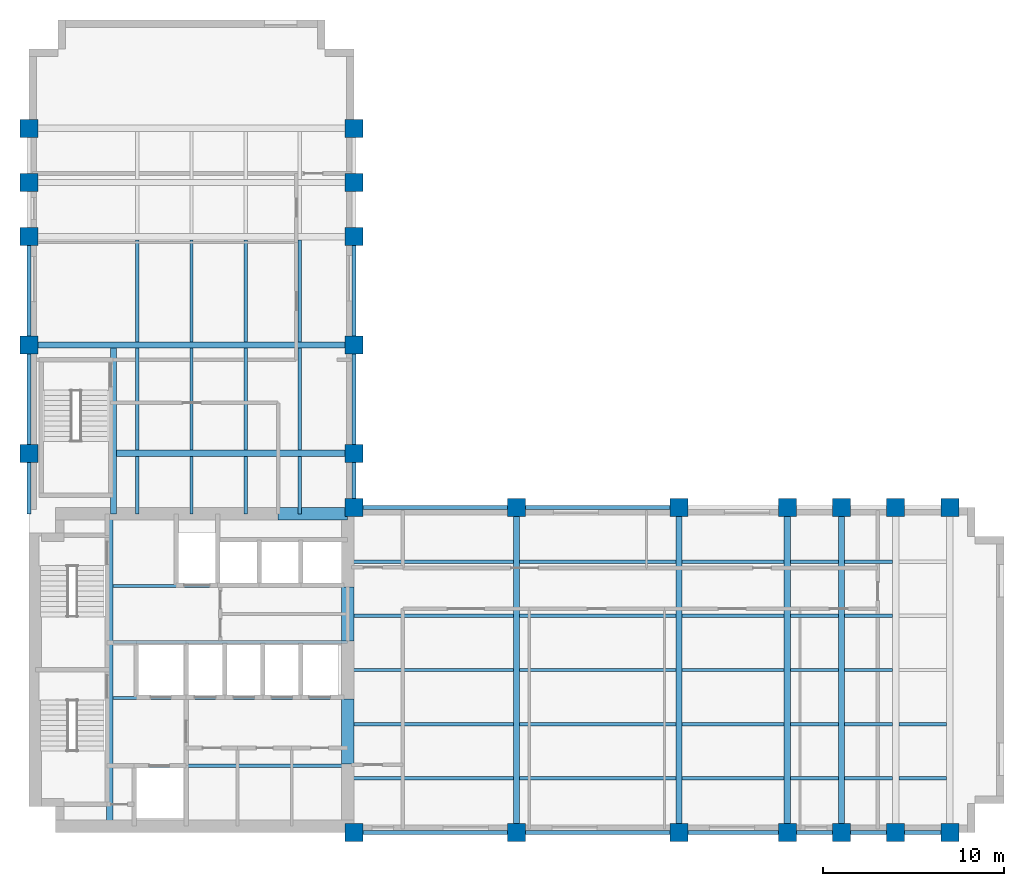
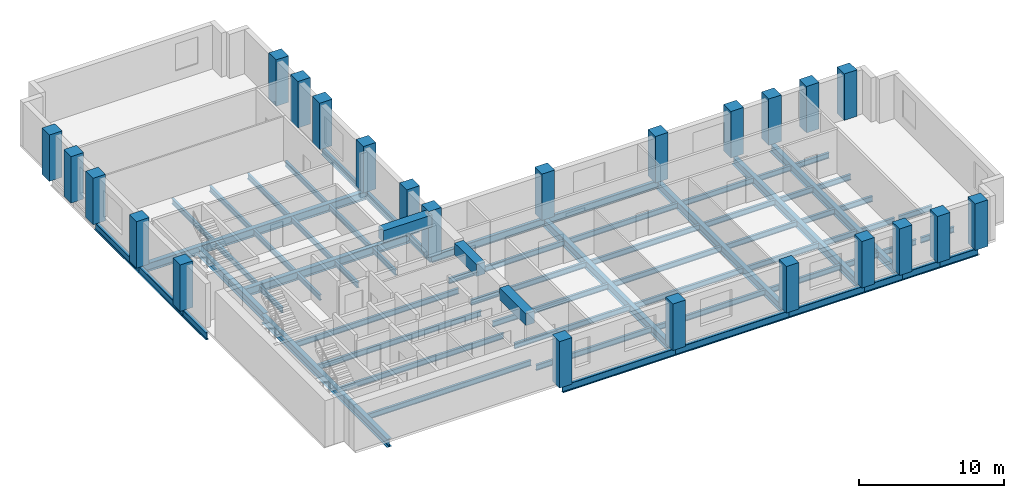
# One storey, part 1 of 7: 68 beams, 24 columns.
"""IFC4 building model written with IfcOpenShell, lengths in metres."""

from ifc_helpers import new_model, si_unit, direction, frame, origin, origin_2d, place, context, subcontext, project, spatial, rectangle, i_section, extrude, material, material_profile, profile_set, type_object, element, save


model = new_model("IFC4")

# Units and contexts
model_context = context("Model", 3, precision=1e-05, world=origin(), true_north=direction((0.0, 1.0)))
body_context = subcontext(model_context, "Body", "Model", "MODEL_VIEW")
ifc_project = project(units=[si_unit("LENGTHUNIT", "METRE"), si_unit("AREAUNIT", "SQUARE_METRE"), si_unit("VOLUMEUNIT", "CUBIC_METRE"), si_unit("PLANEANGLEUNIT", "RADIAN"), si_unit("MASSUNIT", "GRAM", prefix="KILO")], contexts=[model_context])

# Site, building, storey
site_placement = place(None, origin())
site = spatial("IfcSite", under=ifc_project, at=site_placement, CompositionType="ELEMENT")
building_placement = place(site_placement, origin())
building = spatial("IfcBuilding", under=site, at=building_placement, Name="Mawjdan Bourse Tower", CompositionType="ELEMENT")
storey_placement = place(building_placement, frame((0.0, 0.0, 140.10009765625)))
storey = spatial("IfcBuildingStorey", under=building, at=storey_placement, Name="L33", CompositionType="ELEMENT", Elevation=140.10009765625)

# Columns
ifc_material_1 = material(Name="Concrete C70/85", Category="concrete")
ifc_material_profile_1 = material_profile(ifc_material_1, rectangle(XDim=1.0, YDim=1.0, at=origin_2d()), Name="RC1000X1000")
ifc_profile_set_1 = profile_set([ifc_material_profile_1], Name="Concrete C70/85")
column_type = type_object("IfcColumnType", Name="COL-RC1000X1000", PredefinedType="COLUMN", material=ifc_profile_set_1)
for number, where, z_axis, x_axis, name in (
    (1, (24.0, 3.0, 0.0), (0.0, 0.0, 1.0), (1.0, 0.0, 0.0), "L33 Structural Column C-X240-Y30"),
    (2, (24.0, 21.0, 0.0), (0.0, 0.0, 1.0), (1.0, 0.0, 0.0), "L33 Structural Column C-X240-Y210"),
    (3, (33.0, 3.0, 0.0), (0.0, 0.0, 1.0), (1.0, 0.0, 0.0), "L33 Structural Column C-X330-Y30"),
    (4, (33.0, 21.0, 0.0), (0.0, 0.0, 1.0), (1.0, 0.0, 0.0), "L33 Structural Column C-X330-Y210"),
    (5, (42.0, 3.0, 0.0), (0.0, 0.0, 1.0), (1.0, 0.0, 0.0), "L33 Structural Column C-X420-Y30"),
    (6, (42.0, 21.0, 0.0), (0.0, 0.0, 1.0), (1.0, 0.0, 0.0), "L33 Structural Column C-X420-Y210"),
    (7, (48.0, 3.0, 0.0), (0.0, 0.0, 1.0), (1.0, 0.0, 0.0), "L33 Structural Column C-X480-Y30"),
    (8, (48.0, 21.0, 0.0), (0.0, 0.0, 1.0), (1.0, 0.0, 0.0), "L33 Structural Column C-X480-Y210"),
    (9, (51.0, 3.0, 0.0), (0.0, 0.0, 1.0), (1.0, 0.0, 0.0), "L33 Structural Column C-X510-Y30"),
    (10, (51.0, 21.0, 0.0), (0.0, 0.0, 1.0), (1.0, 0.0, 0.0), "L33 Structural Column C-X510-Y210"),
    (11, (54.0, 3.0, 0.0), (0.0, 0.0, 1.0), (1.0, 0.0, 0.0), "L33 Structural Column C-X540-Y30"),
    (12, (54.0, 21.0, 0.0), (0.0, 0.0, 1.0), (1.0, 0.0, 0.0), "L33 Structural Column C-X540-Y210"),
    (13, (57.0, 3.0, 0.0), (0.0, 0.0, 1.0), (1.0, 0.0, 0.0), "L33 Structural Column C-X570-Y30"),
    (14, (57.0, 21.0, 0.0), (0.0, 0.0, 1.0), (1.0, 0.0, 0.0), "L33 Structural Column C-X570-Y210"),
    (15, (6.0, 24.0, 0.0), (0.0, 0.0, 1.0), (1.0, 0.0, 0.0), "L33 Structural Column C-X60-Y240"),
    (16, (24.0, 24.0, 0.0), (0.0, 0.0, 1.0), (1.0, 0.0, 0.0), "L33 Structural Column C-X240-Y240"),
    (17, (6.0, 30.0, 0.0), (0.0, 0.0, 1.0), (1.0, 0.0, 0.0), "L33 Structural Column C-X60-Y300"),
    (18, (24.0, 30.0, 0.0), (0.0, 0.0, 1.0), (1.0, 0.0, 0.0), "L33 Structural Column C-X240-Y300"),
    (19, (6.0, 36.0, 0.0), (0.0, 0.0, 1.0), (1.0, 0.0, 0.0), "L33 Structural Column C-X60-Y360"),
    (20, (24.0, 36.0, 0.0), (0.0, 0.0, 1.0), (1.0, 0.0, 0.0), "L33 Structural Column C-X240-Y360"),
    (21, (6.0, 39.0, 0.0), (0.0, 0.0, 1.0), (1.0, 0.0, 0.0), "L33 Structural Column C-X60-Y390"),
    (22, (24.0, 39.0, 0.0), (0.0, 0.0, 1.0), (1.0, 0.0, 0.0), "L33 Structural Column C-X240-Y390"),
    (23, (6.0, 42.0, 0.0), (0.0, 0.0, 1.0), (1.0, 0.0, 0.0), "L33 Structural Column C-X60-Y420"),
    (24, (24.0, 42.0, 0.0), (0.0, 0.0, 1.0), (1.0, 0.0, 0.0), "L33 Structural Column C-X240-Y420"),
):
    element("IfcColumn", number, at=place(storey_placement, frame(where, z_axis=z_axis, x_axis=x_axis)), inside=storey, type_object=column_type, Name=name, PredefinedType="COLUMN", context=body_context, shape_type="SweptSolid", body=[
        extrude(rectangle(XDim=1.0, YDim=1.0, at=origin_2d()), origin(), (0.0, 0.0, 1.0), 3.89990234375),
    ])

# Beams
ifc_material_2 = material(Name="Structural Steel S355", Category="steel")
ifc_material_profile_2 = material_profile(ifc_material_2, i_section(OverallWidth=0.35498046875, OverallDepth=0.696044921875, WebThickness=0.015380859375, FlangeThickness=0.02490234375, FilletRadius=0.019775390625, at=origin_2d()), Name="W27X146")
ifc_profile_set_2 = profile_set([ifc_material_profile_2], Name="Structural Steel S355")
beam_type_1 = type_object("IfcBeamType", Name="GRD-W27X146", PredefinedType="BEAM", material=ifc_profile_set_2)
beam_1_placement = place(storey_placement, frame((10.47998046875, 3.35009765625, -0.548095703125), z_axis=(0.0, 1.0, 0.0), x_axis=(-1.0, 0.0, 0.0)))
element("IfcBeam", 25, at=beam_1_placement, inside=storey, type_object=beam_type_1, Name="L33 Core Stair Trimmer Girder 001", PredefinedType="BEAM", context=body_context, shape_type="SweptSolid", body=[
    extrude(i_section(OverallWidth=0.35498046875, OverallDepth=0.696044921875, WebThickness=0.015380859375, FlangeThickness=0.02490234375, FilletRadius=0.019775390625, at=origin_2d()), origin(), (0.0, 0.0, 1.0), 17.2998046875),
])
for number, where, z_axis, x_axis, name in (
    (26, (33.0, 3.0, -0.548095703125), (0.0, 1.0, 0.0), (-1.0, 0.0, 0.0), "L33 East Wing Clear-Span Girder 002"),
    (27, (42.0, 3.0, -0.548095703125), (0.0, 1.0, 0.0), (-1.0, 0.0, 0.0), "L33 East Wing Clear-Span Girder 003"),
    (28, (48.0, 3.0, -0.548095703125), (0.0, 1.0, 0.0), (-1.0, 0.0, 0.0), "L33 East Wing Clear-Span Girder 004"),
    (29, (51.0, 3.0, -0.548095703125), (0.0, 1.0, 0.0), (-1.0, 0.0, 0.0), "L33 East Wing Clear-Span Girder 005"),
):
    element("IfcBeam", number, at=place(storey_placement, frame(where, z_axis=z_axis, x_axis=x_axis)), inside=storey, type_object=beam_type_1, Name=name, PredefinedType="BEAM", context=body_context, shape_type="SweptSolid", body=[
        extrude(i_section(OverallWidth=0.35498046875, OverallDepth=0.696044921875, WebThickness=0.015380859375, FlangeThickness=0.02490234375, FilletRadius=0.019775390625, at=origin_2d()), origin(), (0.0, 0.0, 1.0), 18.0),
    ])
beam_2_placement = place(storey_placement, frame((10.679931640625, 20.64990234375, -0.548095703125), z_axis=(0.0, 1.0, 0.0), x_axis=(-1.0, 0.0, 0.0)))
element("IfcBeam", 30, at=beam_2_placement, inside=storey, type_object=beam_type_1, Name="L33 North Wing Stair Trimmer Girder 054", PredefinedType="BEAM", context=body_context, shape_type="SweptSolid", body=[
    extrude(i_section(OverallWidth=0.35498046875, OverallDepth=0.696044921875, WebThickness=0.015380859375, FlangeThickness=0.02490234375, FilletRadius=0.019775390625, at=origin_2d()), origin(), (0.0, 0.0, 1.0), 9.174560546875),
])
beam_3_placement = place(storey_placement, frame((10.85546875, 24.0, -0.548095703125), z_axis=(1.0, 0.0, 0.0), x_axis=(0.0, 1.0, 0.0)))
element("IfcBeam", 31, at=beam_3_placement, inside=storey, type_object=beam_type_1, Name="L33 North Wing Clear-Span Girder 055", PredefinedType="BEAM", context=body_context, shape_type="SweptSolid", body=[
    extrude(i_section(OverallWidth=0.35498046875, OverallDepth=0.696044921875, WebThickness=0.015380859375, FlangeThickness=0.02490234375, FilletRadius=0.019775390625, at=origin_2d()), origin(), (0.0, 0.0, 1.0), 13.14453125),
])
beam_4_placement = place(storey_placement, frame((6.0, 30.0, -0.548095703125), z_axis=(1.0, 0.0, 0.0), x_axis=(0.0, 1.0, 0.0)))
element("IfcBeam", 32, at=beam_4_placement, inside=storey, type_object=beam_type_1, Name="L33 North Wing Clear-Span Girder 056", PredefinedType="BEAM", context=body_context, shape_type="SweptSolid", body=[
    extrude(i_section(OverallWidth=0.35498046875, OverallDepth=0.696044921875, WebThickness=0.015380859375, FlangeThickness=0.02490234375, FilletRadius=0.019775390625, at=origin_2d()), origin(), (0.0, 0.0, 1.0), 18.0),
])
ifc_material_profile_3 = material_profile(ifc_material_2, i_section(OverallWidth=0.18994140625, OverallDepth=0.45703125, WebThickness=0.009033203125, FlangeThickness=0.014404296875, FilletRadius=0.01171875, at=origin_2d()), Name="W18X50")
ifc_profile_set_3 = profile_set([ifc_material_profile_3], Name="Structural Steel S355")
beam_type_2 = type_object("IfcBeamType", Name="JST-W18X50", PredefinedType="JOIST", material=ifc_profile_set_3)
beam_5_placement = place(storey_placement, frame((23.64990234375, 6.0, -0.4287109375), z_axis=(1.0, 0.0, 0.0), x_axis=(0.0, 1.0, 0.0)))
element("IfcBeam", 33, at=beam_5_placement, inside=storey, type_object=beam_type_2, Name="L33 East Wing Composite Joist 020", PredefinedType="JOIST", context=body_context, shape_type="SweptSolid", body=[
    extrude(i_section(OverallWidth=0.18994140625, OverallDepth=0.45703125, WebThickness=0.009033203125, FlangeThickness=0.014404296875, FilletRadius=0.01171875, at=origin_2d()), origin(), (0.0, 0.0, 1.0), 9.174560546875),
])
beam_6_placement = place(storey_placement, frame((33.175537109375, 6.0, -0.4287109375), z_axis=(1.0, 0.0, 0.0), x_axis=(0.0, 1.0, 0.0)))
element("IfcBeam", 34, at=beam_6_placement, inside=storey, type_object=beam_type_2, Name="L33 East Wing Composite Joist 021", PredefinedType="JOIST", context=body_context, shape_type="SweptSolid", body=[
    extrude(i_section(OverallWidth=0.18994140625, OverallDepth=0.45703125, WebThickness=0.009033203125, FlangeThickness=0.014404296875, FilletRadius=0.01171875, at=origin_2d()), origin(), (0.0, 0.0, 1.0), 8.64892578125),
])
beam_7_placement = place(storey_placement, frame((42.175537109375, 6.0, -0.4287109375), z_axis=(1.0, 0.0, 0.0), x_axis=(0.0, 1.0, 0.0)))
element("IfcBeam", 35, at=beam_7_placement, inside=storey, type_object=beam_type_2, Name="L33 East Wing Composite Joist 022", PredefinedType="JOIST", context=body_context, shape_type="SweptSolid", body=[
    extrude(i_section(OverallWidth=0.18994140625, OverallDepth=0.45703125, WebThickness=0.009033203125, FlangeThickness=0.014404296875, FilletRadius=0.01171875, at=origin_2d()), origin(), (0.0, 0.0, 1.0), 5.64892578125),
])
for number, where, z_axis, x_axis, name in (
    (36, (48.175537109375, 6.0, -0.4287109375), (1.0, 0.0, 0.0), (0.0, 1.0, 0.0), "L33 East Wing Composite Joist 023"),
    (37, (51.175537109375, 6.0, -0.4287109375), (1.0, 0.0, 0.0), (0.0, 1.0, 0.0), "L33 East Wing Composite Joist 024"),
    (38, (54.175537109375, 6.0, -0.4287109375), (1.0, 0.0, 0.0), (0.0, 1.0, 0.0), "L33 East Wing Composite Joist 025"),
):
    element("IfcBeam", number, at=place(storey_placement, frame(where, z_axis=z_axis, x_axis=x_axis)), inside=storey, type_object=beam_type_2, Name=name, PredefinedType="JOIST", context=body_context, shape_type="SweptSolid", body=[
        extrude(i_section(OverallWidth=0.18994140625, OverallDepth=0.45703125, WebThickness=0.009033203125, FlangeThickness=0.014404296875, FilletRadius=0.01171875, at=origin_2d()), origin(), (0.0, 0.0, 1.0), 2.64892578125),
    ])
beam_8_placement = place(storey_placement, frame((23.64990234375, 9.0, -0.4287109375), z_axis=(1.0, 0.0, 0.0), x_axis=(0.0, 1.0, 0.0)))
element("IfcBeam", 39, at=beam_8_placement, inside=storey, type_object=beam_type_2, Name="L33 East Wing Composite Joist 026", PredefinedType="JOIST", context=body_context, shape_type="SweptSolid", body=[
    extrude(i_section(OverallWidth=0.18994140625, OverallDepth=0.45703125, WebThickness=0.009033203125, FlangeThickness=0.014404296875, FilletRadius=0.01171875, at=origin_2d()), origin(), (0.0, 0.0, 1.0), 9.174560546875),
])
beam_9_placement = place(storey_placement, frame((33.175537109375, 9.0, -0.4287109375), z_axis=(1.0, 0.0, 0.0), x_axis=(0.0, 1.0, 0.0)))
element("IfcBeam", 40, at=beam_9_placement, inside=storey, type_object=beam_type_2, Name="L33 East Wing Composite Joist 027", PredefinedType="JOIST", context=body_context, shape_type="SweptSolid", body=[
    extrude(i_section(OverallWidth=0.18994140625, OverallDepth=0.45703125, WebThickness=0.009033203125, FlangeThickness=0.014404296875, FilletRadius=0.01171875, at=origin_2d()), origin(), (0.0, 0.0, 1.0), 8.64892578125),
])
beam_10_placement = place(storey_placement, frame((42.175537109375, 9.0, -0.4287109375), z_axis=(1.0, 0.0, 0.0), x_axis=(0.0, 1.0, 0.0)))
element("IfcBeam", 41, at=beam_10_placement, inside=storey, type_object=beam_type_2, Name="L33 East Wing Composite Joist 028", PredefinedType="JOIST", context=body_context, shape_type="SweptSolid", body=[
    extrude(i_section(OverallWidth=0.18994140625, OverallDepth=0.45703125, WebThickness=0.009033203125, FlangeThickness=0.014404296875, FilletRadius=0.01171875, at=origin_2d()), origin(), (0.0, 0.0, 1.0), 5.64892578125),
])
for number, where, z_axis, x_axis, name in (
    (42, (48.175537109375, 9.0, -0.4287109375), (1.0, 0.0, 0.0), (0.0, 1.0, 0.0), "L33 East Wing Composite Joist 029"),
    (43, (51.175537109375, 9.0, -0.4287109375), (1.0, 0.0, 0.0), (0.0, 1.0, 0.0), "L33 East Wing Composite Joist 030"),
    (44, (54.175537109375, 9.0, -0.4287109375), (1.0, 0.0, 0.0), (0.0, 1.0, 0.0), "L33 East Wing Composite Joist 031"),
):
    element("IfcBeam", number, at=place(storey_placement, frame(where, z_axis=z_axis, x_axis=x_axis)), inside=storey, type_object=beam_type_2, Name=name, PredefinedType="JOIST", context=body_context, shape_type="SweptSolid", body=[
        extrude(i_section(OverallWidth=0.18994140625, OverallDepth=0.45703125, WebThickness=0.009033203125, FlangeThickness=0.014404296875, FilletRadius=0.01171875, at=origin_2d()), origin(), (0.0, 0.0, 1.0), 2.64892578125),
    ])
beam_11_placement = place(storey_placement, frame((23.64990234375, 12.0, -0.4287109375), z_axis=(1.0, 0.0, 0.0), x_axis=(0.0, 1.0, 0.0)))
element("IfcBeam", 45, at=beam_11_placement, inside=storey, type_object=beam_type_2, Name="L33 East Wing Composite Joist 032", PredefinedType="JOIST", context=body_context, shape_type="SweptSolid", body=[
    extrude(i_section(OverallWidth=0.18994140625, OverallDepth=0.45703125, WebThickness=0.009033203125, FlangeThickness=0.014404296875, FilletRadius=0.01171875, at=origin_2d()), origin(), (0.0, 0.0, 1.0), 9.174560546875),
])
beam_12_placement = place(storey_placement, frame((33.175537109375, 12.0, -0.4287109375), z_axis=(1.0, 0.0, 0.0), x_axis=(0.0, 1.0, 0.0)))
element("IfcBeam", 46, at=beam_12_placement, inside=storey, type_object=beam_type_2, Name="L33 East Wing Composite Joist 033", PredefinedType="JOIST", context=body_context, shape_type="SweptSolid", body=[
    extrude(i_section(OverallWidth=0.18994140625, OverallDepth=0.45703125, WebThickness=0.009033203125, FlangeThickness=0.014404296875, FilletRadius=0.01171875, at=origin_2d()), origin(), (0.0, 0.0, 1.0), 8.64892578125),
])
beam_13_placement = place(storey_placement, frame((42.175537109375, 12.0, -0.4287109375), z_axis=(1.0, 0.0, 0.0), x_axis=(0.0, 1.0, 0.0)))
element("IfcBeam", 47, at=beam_13_placement, inside=storey, type_object=beam_type_2, Name="L33 East Wing Composite Joist 034", PredefinedType="JOIST", context=body_context, shape_type="SweptSolid", body=[
    extrude(i_section(OverallWidth=0.18994140625, OverallDepth=0.45703125, WebThickness=0.009033203125, FlangeThickness=0.014404296875, FilletRadius=0.01171875, at=origin_2d()), origin(), (0.0, 0.0, 1.0), 5.64892578125),
])
for number, where, z_axis, x_axis, name in (
    (48, (48.175537109375, 12.0, -0.4287109375), (1.0, 0.0, 0.0), (0.0, 1.0, 0.0), "L33 East Wing Composite Joist 035"),
    (49, (51.175537109375, 12.0, -0.4287109375), (1.0, 0.0, 0.0), (0.0, 1.0, 0.0), "L33 East Wing Composite Joist 036"),
):
    element("IfcBeam", number, at=place(storey_placement, frame(where, z_axis=z_axis, x_axis=x_axis)), inside=storey, type_object=beam_type_2, Name=name, PredefinedType="JOIST", context=body_context, shape_type="SweptSolid", body=[
        extrude(i_section(OverallWidth=0.18994140625, OverallDepth=0.45703125, WebThickness=0.009033203125, FlangeThickness=0.014404296875, FilletRadius=0.01171875, at=origin_2d()), origin(), (0.0, 0.0, 1.0), 2.64892578125),
    ])
beam_14_placement = place(storey_placement, frame((23.64990234375, 15.0, -0.4287109375), z_axis=(1.0, 0.0, 0.0), x_axis=(0.0, 1.0, 0.0)))
element("IfcBeam", 50, at=beam_14_placement, inside=storey, type_object=beam_type_2, Name="L33 East Wing Composite Joist 038", PredefinedType="JOIST", context=body_context, shape_type="SweptSolid", body=[
    extrude(i_section(OverallWidth=0.18994140625, OverallDepth=0.45703125, WebThickness=0.009033203125, FlangeThickness=0.014404296875, FilletRadius=0.01171875, at=origin_2d()), origin(), (0.0, 0.0, 1.0), 9.174560546875),
])
beam_15_placement = place(storey_placement, frame((33.175537109375, 15.0, -0.4287109375), z_axis=(1.0, 0.0, 0.0), x_axis=(0.0, 1.0, 0.0)))
element("IfcBeam", 51, at=beam_15_placement, inside=storey, type_object=beam_type_2, Name="L33 East Wing Composite Joist 039", PredefinedType="JOIST", context=body_context, shape_type="SweptSolid", body=[
    extrude(i_section(OverallWidth=0.18994140625, OverallDepth=0.45703125, WebThickness=0.009033203125, FlangeThickness=0.014404296875, FilletRadius=0.01171875, at=origin_2d()), origin(), (0.0, 0.0, 1.0), 8.64892578125),
])
beam_16_placement = place(storey_placement, frame((42.175537109375, 15.0, -0.4287109375), z_axis=(1.0, 0.0, 0.0), x_axis=(0.0, 1.0, 0.0)))
element("IfcBeam", 52, at=beam_16_placement, inside=storey, type_object=beam_type_2, Name="L33 East Wing Composite Joist 040", PredefinedType="JOIST", context=body_context, shape_type="SweptSolid", body=[
    extrude(i_section(OverallWidth=0.18994140625, OverallDepth=0.45703125, WebThickness=0.009033203125, FlangeThickness=0.014404296875, FilletRadius=0.01171875, at=origin_2d()), origin(), (0.0, 0.0, 1.0), 5.64892578125),
])
for number, where, z_axis, x_axis, name in (
    (53, (48.175537109375, 15.0, -0.4287109375), (1.0, 0.0, 0.0), (0.0, 1.0, 0.0), "L33 East Wing Composite Joist 041"),
    (54, (51.175537109375, 15.0, -0.4287109375), (1.0, 0.0, 0.0), (0.0, 1.0, 0.0), "L33 East Wing Composite Joist 042"),
):
    element("IfcBeam", number, at=place(storey_placement, frame(where, z_axis=z_axis, x_axis=x_axis)), inside=storey, type_object=beam_type_2, Name=name, PredefinedType="JOIST", context=body_context, shape_type="SweptSolid", body=[
        extrude(i_section(OverallWidth=0.18994140625, OverallDepth=0.45703125, WebThickness=0.009033203125, FlangeThickness=0.014404296875, FilletRadius=0.01171875, at=origin_2d()), origin(), (0.0, 0.0, 1.0), 2.64892578125),
    ])
beam_17_placement = place(storey_placement, frame((23.64990234375, 18.0, -0.4287109375), z_axis=(1.0, 0.0, 0.0), x_axis=(0.0, 1.0, 0.0)))
element("IfcBeam", 55, at=beam_17_placement, inside=storey, type_object=beam_type_2, Name="L33 East Wing Composite Joist 044", PredefinedType="JOIST", context=body_context, shape_type="SweptSolid", body=[
    extrude(i_section(OverallWidth=0.18994140625, OverallDepth=0.45703125, WebThickness=0.009033203125, FlangeThickness=0.014404296875, FilletRadius=0.01171875, at=origin_2d()), origin(), (0.0, 0.0, 1.0), 9.174560546875),
])
beam_18_placement = place(storey_placement, frame((33.175537109375, 18.0, -0.4287109375), z_axis=(1.0, 0.0, 0.0), x_axis=(0.0, 1.0, 0.0)))
element("IfcBeam", 56, at=beam_18_placement, inside=storey, type_object=beam_type_2, Name="L33 East Wing Composite Joist 045", PredefinedType="JOIST", context=body_context, shape_type="SweptSolid", body=[
    extrude(i_section(OverallWidth=0.18994140625, OverallDepth=0.45703125, WebThickness=0.009033203125, FlangeThickness=0.014404296875, FilletRadius=0.01171875, at=origin_2d()), origin(), (0.0, 0.0, 1.0), 8.64892578125),
])
beam_19_placement = place(storey_placement, frame((42.175537109375, 18.0, -0.4287109375), z_axis=(1.0, 0.0, 0.0), x_axis=(0.0, 1.0, 0.0)))
element("IfcBeam", 57, at=beam_19_placement, inside=storey, type_object=beam_type_2, Name="L33 East Wing Composite Joist 046", PredefinedType="JOIST", context=body_context, shape_type="SweptSolid", body=[
    extrude(i_section(OverallWidth=0.18994140625, OverallDepth=0.45703125, WebThickness=0.009033203125, FlangeThickness=0.014404296875, FilletRadius=0.01171875, at=origin_2d()), origin(), (0.0, 0.0, 1.0), 5.64892578125),
])
for number, where, z_axis, x_axis, name in (
    (58, (48.175537109375, 18.0, -0.4287109375), (1.0, 0.0, 0.0), (0.0, 1.0, 0.0), "L33 East Wing Composite Joist 047"),
    (59, (51.175537109375, 18.0, -0.4287109375), (1.0, 0.0, 0.0), (0.0, 1.0, 0.0), "L33 East Wing Composite Joist 048"),
):
    element("IfcBeam", number, at=place(storey_placement, frame(where, z_axis=z_axis, x_axis=x_axis)), inside=storey, type_object=beam_type_2, Name=name, PredefinedType="JOIST", context=body_context, shape_type="SweptSolid", body=[
        extrude(i_section(OverallWidth=0.18994140625, OverallDepth=0.45703125, WebThickness=0.009033203125, FlangeThickness=0.014404296875, FilletRadius=0.01171875, at=origin_2d()), origin(), (0.0, 0.0, 1.0), 2.64892578125),
    ])
for number, where, z_axis, x_axis, name in (
    (60, (10.655517578125, 6.699951171875, -0.4287109375), (1.0, 0.0, 0.0), (0.0, 1.0, 0.0), "L33 Core Floor Joist 050"),
    (61, (10.655517578125, 10.449951171875, -0.4287109375), (1.0, 0.0, 0.0), (0.0, 1.0, 0.0), "L33 Core Floor Joist 051"),
    (62, (10.655517578125, 13.550048828125, -0.4287109375), (1.0, 0.0, 0.0), (0.0, 1.0, 0.0), "L33 Core Floor Joist 052"),
    (63, (10.655517578125, 16.64990234375, -0.4287109375), (1.0, 0.0, 0.0), (0.0, 1.0, 0.0), "L33 Core Floor Joist 053"),
):
    element("IfcBeam", number, at=place(storey_placement, frame(where, z_axis=z_axis, x_axis=x_axis)), inside=storey, type_object=beam_type_2, Name=name, PredefinedType="JOIST", context=body_context, shape_type="SweptSolid", body=[
        extrude(i_section(OverallWidth=0.18994140625, OverallDepth=0.45703125, WebThickness=0.009033203125, FlangeThickness=0.014404296875, FilletRadius=0.01171875, at=origin_2d()), origin(), (0.0, 0.0, 1.0), 12.994384765625),
    ])
beam_20_placement = place(storey_placement, frame((12.0, 20.64990234375, -0.4287109375), z_axis=(0.0, 1.0, 0.0), x_axis=(-1.0, 0.0, 0.0)))
element("IfcBeam", 64, at=beam_20_placement, inside=storey, type_object=beam_type_2, Name="L33 North Wing Composite Joist 070", PredefinedType="JOIST", context=body_context, shape_type="SweptSolid", body=[
    extrude(i_section(OverallWidth=0.18994140625, OverallDepth=0.45703125, WebThickness=0.009033203125, FlangeThickness=0.014404296875, FilletRadius=0.01171875, at=origin_2d()), origin(), (0.0, 0.0, 1.0), 3.174560546875),
])
for number, where, z_axis, x_axis, name in (
    (65, (12.0, 24.175537109375, -0.4287109375), (0.0, 1.0, 0.0), (-1.0, 0.0, 0.0), "L33 North Wing Composite Joist 071"),
    (66, (12.0, 30.175537109375, -0.4287109375), (0.0, 1.0, 0.0), (-1.0, 0.0, 0.0), "L33 North Wing Composite Joist 072"),
):
    element("IfcBeam", number, at=place(storey_placement, frame(where, z_axis=z_axis, x_axis=x_axis)), inside=storey, type_object=beam_type_2, Name=name, PredefinedType="JOIST", context=body_context, shape_type="SweptSolid", body=[
        extrude(i_section(OverallWidth=0.18994140625, OverallDepth=0.45703125, WebThickness=0.009033203125, FlangeThickness=0.014404296875, FilletRadius=0.01171875, at=origin_2d()), origin(), (0.0, 0.0, 1.0), 5.64892578125),
    ])
beam_21_placement = place(storey_placement, frame((15.0, 20.64990234375, -0.4287109375), z_axis=(0.0, 1.0, 0.0), x_axis=(-1.0, 0.0, 0.0)))
element("IfcBeam", 67, at=beam_21_placement, inside=storey, type_object=beam_type_2, Name="L33 North Wing Composite Joist 075", PredefinedType="JOIST", context=body_context, shape_type="SweptSolid", body=[
    extrude(i_section(OverallWidth=0.18994140625, OverallDepth=0.45703125, WebThickness=0.009033203125, FlangeThickness=0.014404296875, FilletRadius=0.01171875, at=origin_2d()), origin(), (0.0, 0.0, 1.0), 3.174560546875),
])
for number, where, z_axis, x_axis, name in (
    (68, (15.0, 24.175537109375, -0.4287109375), (0.0, 1.0, 0.0), (-1.0, 0.0, 0.0), "L33 North Wing Composite Joist 076"),
    (69, (15.0, 30.175537109375, -0.4287109375), (0.0, 1.0, 0.0), (-1.0, 0.0, 0.0), "L33 North Wing Composite Joist 077"),
):
    element("IfcBeam", number, at=place(storey_placement, frame(where, z_axis=z_axis, x_axis=x_axis)), inside=storey, type_object=beam_type_2, Name=name, PredefinedType="JOIST", context=body_context, shape_type="SweptSolid", body=[
        extrude(i_section(OverallWidth=0.18994140625, OverallDepth=0.45703125, WebThickness=0.009033203125, FlangeThickness=0.014404296875, FilletRadius=0.01171875, at=origin_2d()), origin(), (0.0, 0.0, 1.0), 5.64892578125),
    ])
beam_22_placement = place(storey_placement, frame((18.0, 20.64990234375, -0.4287109375), z_axis=(0.0, 1.0, 0.0), x_axis=(-1.0, 0.0, 0.0)))
element("IfcBeam", 70, at=beam_22_placement, inside=storey, type_object=beam_type_2, Name="L33 North Wing Composite Joist 080", PredefinedType="JOIST", context=body_context, shape_type="SweptSolid", body=[
    extrude(i_section(OverallWidth=0.18994140625, OverallDepth=0.45703125, WebThickness=0.009033203125, FlangeThickness=0.014404296875, FilletRadius=0.01171875, at=origin_2d()), origin(), (0.0, 0.0, 1.0), 3.174560546875),
])
for number, where, z_axis, x_axis, name in (
    (71, (18.0, 24.175537109375, -0.4287109375), (0.0, 1.0, 0.0), (-1.0, 0.0, 0.0), "L33 North Wing Composite Joist 081"),
    (72, (18.0, 30.175537109375, -0.4287109375), (0.0, 1.0, 0.0), (-1.0, 0.0, 0.0), "L33 North Wing Composite Joist 082"),
):
    element("IfcBeam", number, at=place(storey_placement, frame(where, z_axis=z_axis, x_axis=x_axis)), inside=storey, type_object=beam_type_2, Name=name, PredefinedType="JOIST", context=body_context, shape_type="SweptSolid", body=[
        extrude(i_section(OverallWidth=0.18994140625, OverallDepth=0.45703125, WebThickness=0.009033203125, FlangeThickness=0.014404296875, FilletRadius=0.01171875, at=origin_2d()), origin(), (0.0, 0.0, 1.0), 5.64892578125),
    ])
beam_23_placement = place(storey_placement, frame((21.0, 20.64990234375, -0.4287109375), z_axis=(0.0, 1.0, 0.0), x_axis=(-1.0, 0.0, 0.0)))
element("IfcBeam", 73, at=beam_23_placement, inside=storey, type_object=beam_type_2, Name="L33 North Wing Composite Joist 085", PredefinedType="JOIST", context=body_context, shape_type="SweptSolid", body=[
    extrude(i_section(OverallWidth=0.18994140625, OverallDepth=0.45703125, WebThickness=0.009033203125, FlangeThickness=0.014404296875, FilletRadius=0.01171875, at=origin_2d()), origin(), (0.0, 0.0, 1.0), 3.174560546875),
])
for number, where, z_axis, x_axis, name in (
    (74, (21.0, 24.175537109375, -0.4287109375), (0.0, 1.0, 0.0), (-1.0, 0.0, 0.0), "L33 North Wing Composite Joist 086"),
    (75, (21.0, 30.175537109375, -0.4287109375), (0.0, 1.0, 0.0), (-1.0, 0.0, 0.0), "L33 North Wing Composite Joist 087"),
):
    element("IfcBeam", number, at=place(storey_placement, frame(where, z_axis=z_axis, x_axis=x_axis)), inside=storey, type_object=beam_type_2, Name=name, PredefinedType="JOIST", context=body_context, shape_type="SweptSolid", body=[
        extrude(i_section(OverallWidth=0.18994140625, OverallDepth=0.45703125, WebThickness=0.009033203125, FlangeThickness=0.014404296875, FilletRadius=0.01171875, at=origin_2d()), origin(), (0.0, 0.0, 1.0), 5.64892578125),
    ])
ifc_material_profile_4 = material_profile(ifc_material_1, rectangle(XDim=0.699951171875, YDim=1.0, at=origin_2d()), Name="RCB700X1000")
ifc_profile_set_4 = profile_set([ifc_material_profile_4], Name="Concrete C70/85")
beam_type_3 = type_object("IfcBeamType", Name="LNT-RCB700X1000", PredefinedType="LINTEL", material=ifc_profile_set_4)
beam_24_placement = place(storey_placement, frame((23.64990234375, 6.800048828125, 3.199951171875), z_axis=(0.0, 1.0, 0.0), x_axis=(-1.0, 0.0, 0.0)))
element("IfcBeam", 76, at=beam_24_placement, inside=storey, type_object=beam_type_3, Name="L33 Coupled Core Lintel CB-E1", PredefinedType="LINTEL", context=body_context, shape_type="SweptSolid", body=[
    extrude(rectangle(XDim=0.699951171875, YDim=1.0, at=origin_2d()), origin(), (0.0, 0.0, 1.0), 3.599853515625),
])
beam_25_placement = place(storey_placement, frame((23.64990234375, 13.60009765625, 3.199951171875), z_axis=(0.0, 1.0, 0.0), x_axis=(-1.0, 0.0, 0.0)))
element("IfcBeam", 77, at=beam_25_placement, inside=storey, type_object=beam_type_3, Name="L33 Coupled Core Lintel CB-E2", PredefinedType="LINTEL", context=body_context, shape_type="SweptSolid", body=[
    extrude(rectangle(XDim=0.699951171875, YDim=1.0, at=origin_2d()), origin(), (0.0, 0.0, 1.0), 3.0),
])
beam_26_placement = place(storey_placement, frame((19.800048828125, 20.64990234375, 3.199951171875), z_axis=(1.0, 0.0, 0.0), x_axis=(0.0, 1.0, 0.0)))
element("IfcBeam", 78, at=beam_26_placement, inside=storey, type_object=beam_type_3, Name="L33 Coupled Core Lintel CB-N1", PredefinedType="LINTEL", context=body_context, shape_type="SweptSolid", body=[
    extrude(rectangle(XDim=0.699951171875, YDim=1.0, at=origin_2d()), origin(), (0.0, 0.0, 1.0), 3.849853515625),
])
ifc_material_profile_5 = material_profile(ifc_material_2, i_section(OverallWidth=0.22998046875, OverallDepth=0.616943359375, WebThickness=0.01318359375, FlangeThickness=0.022216796875, FilletRadius=0.017822265625, at=origin_2d()), Name="W24X94")
ifc_profile_set_5 = profile_set([ifc_material_profile_5], Name="Structural Steel S355")
beam_type_4 = type_object("IfcBeamType", Name="SPN-W24X94", PredefinedType="SPANDREL", material=ifc_profile_set_5)
for number, where, z_axis, x_axis, name in (
    (79, (24.0, 3.0, -0.508544921875), (1.0, 0.0, 0.0), (0.0, 1.0, 0.0), "L33 Perimeter Masonry-Shelf Spandrel 008"),
    (80, (33.0, 3.0, -0.508544921875), (1.0, 0.0, 0.0), (0.0, 1.0, 0.0), "L33 Perimeter Masonry-Shelf Spandrel 009"),
):
    element("IfcBeam", number, at=place(storey_placement, frame(where, z_axis=z_axis, x_axis=x_axis)), inside=storey, type_object=beam_type_4, Name=name, PredefinedType="SPANDREL", context=body_context, shape_type="SweptSolid", body=[
        extrude(i_section(OverallWidth=0.22998046875, OverallDepth=0.616943359375, WebThickness=0.01318359375, FlangeThickness=0.022216796875, FilletRadius=0.017822265625, at=origin_2d()), origin(), (0.0, 0.0, 1.0), 9.0),
    ])
beam_27_placement = place(storey_placement, frame((42.0, 3.0, -0.508544921875), z_axis=(1.0, 0.0, 0.0), x_axis=(0.0, 1.0, 0.0)))
element("IfcBeam", 81, at=beam_27_placement, inside=storey, type_object=beam_type_4, Name="L33 Perimeter Masonry-Shelf Spandrel 010", PredefinedType="SPANDREL", context=body_context, shape_type="SweptSolid", body=[
    extrude(i_section(OverallWidth=0.22998046875, OverallDepth=0.616943359375, WebThickness=0.01318359375, FlangeThickness=0.022216796875, FilletRadius=0.017822265625, at=origin_2d()), origin(), (0.0, 0.0, 1.0), 6.0),
])
for number, where, z_axis, x_axis, name in (
    (82, (48.0, 3.0, -0.508544921875), (1.0, 0.0, 0.0), (0.0, 1.0, 0.0), "L33 Perimeter Masonry-Shelf Spandrel 011"),
    (83, (51.0, 3.0, -0.508544921875), (1.0, 0.0, 0.0), (0.0, 1.0, 0.0), "L33 Perimeter Masonry-Shelf Spandrel 012"),
    (84, (54.0, 3.0, -0.508544921875), (1.0, 0.0, 0.0), (0.0, 1.0, 0.0), "L33 Perimeter Masonry-Shelf Spandrel 013"),
):
    element("IfcBeam", number, at=place(storey_placement, frame(where, z_axis=z_axis, x_axis=x_axis)), inside=storey, type_object=beam_type_4, Name=name, PredefinedType="SPANDREL", context=body_context, shape_type="SweptSolid", body=[
        extrude(i_section(OverallWidth=0.22998046875, OverallDepth=0.616943359375, WebThickness=0.01318359375, FlangeThickness=0.022216796875, FilletRadius=0.017822265625, at=origin_2d()), origin(), (0.0, 0.0, 1.0), 3.0),
    ])
for number, where, z_axis, x_axis, name in (
    (85, (24.0, 21.0, -0.508544921875), (1.0, 0.0, 0.0), (0.0, 1.0, 0.0), "L33 Perimeter Masonry-Shelf Spandrel 014"),
    (86, (33.0, 21.0, -0.508544921875), (1.0, 0.0, 0.0), (0.0, 1.0, 0.0), "L33 Perimeter Masonry-Shelf Spandrel 015"),
):
    element("IfcBeam", number, at=place(storey_placement, frame(where, z_axis=z_axis, x_axis=x_axis)), inside=storey, type_object=beam_type_4, Name=name, PredefinedType="SPANDREL", context=body_context, shape_type="SweptSolid", body=[
        extrude(i_section(OverallWidth=0.22998046875, OverallDepth=0.616943359375, WebThickness=0.01318359375, FlangeThickness=0.022216796875, FilletRadius=0.017822265625, at=origin_2d()), origin(), (0.0, 0.0, 1.0), 9.0),
    ])
beam_28_placement = place(storey_placement, frame((6.0, 20.64990234375, -0.508544921875), z_axis=(0.0, 1.0, 0.0), x_axis=(-1.0, 0.0, 0.0)))
element("IfcBeam", 87, at=beam_28_placement, inside=storey, type_object=beam_type_4, Name="L33 North Wing Spandrel 060", PredefinedType="SPANDREL", context=body_context, shape_type="SweptSolid", body=[
    extrude(i_section(OverallWidth=0.22998046875, OverallDepth=0.616943359375, WebThickness=0.01318359375, FlangeThickness=0.022216796875, FilletRadius=0.017822265625, at=origin_2d()), origin(), (0.0, 0.0, 1.0), 3.35009765625),
])
for number, where, z_axis, x_axis, name in (
    (88, (6.0, 24.0, -0.508544921875), (0.0, 1.0, 0.0), (-1.0, 0.0, 0.0), "L33 North Wing Spandrel 061"),
    (89, (6.0, 30.0, -0.508544921875), (0.0, 1.0, 0.0), (-1.0, 0.0, 0.0), "L33 North Wing Spandrel 062"),
):
    element("IfcBeam", number, at=place(storey_placement, frame(where, z_axis=z_axis, x_axis=x_axis)), inside=storey, type_object=beam_type_4, Name=name, PredefinedType="SPANDREL", context=body_context, shape_type="SweptSolid", body=[
        extrude(i_section(OverallWidth=0.22998046875, OverallDepth=0.616943359375, WebThickness=0.01318359375, FlangeThickness=0.022216796875, FilletRadius=0.017822265625, at=origin_2d()), origin(), (0.0, 0.0, 1.0), 6.0),
    ])
beam_29_placement = place(storey_placement, frame((24.0, 21.0, -0.508544921875), z_axis=(0.0, 1.0, 0.0), x_axis=(-1.0, 0.0, 0.0)))
element("IfcBeam", 90, at=beam_29_placement, inside=storey, type_object=beam_type_4, Name="L33 North Wing Spandrel 065", PredefinedType="SPANDREL", context=body_context, shape_type="SweptSolid", body=[
    extrude(i_section(OverallWidth=0.22998046875, OverallDepth=0.616943359375, WebThickness=0.01318359375, FlangeThickness=0.022216796875, FilletRadius=0.017822265625, at=origin_2d()), origin(), (0.0, 0.0, 1.0), 3.0),
])
for number, where, z_axis, x_axis, name in (
    (91, (24.0, 24.0, -0.508544921875), (0.0, 1.0, 0.0), (-1.0, 0.0, 0.0), "L33 North Wing Spandrel 066"),
    (92, (24.0, 30.0, -0.508544921875), (0.0, 1.0, 0.0), (-1.0, 0.0, 0.0), "L33 North Wing Spandrel 067"),
):
    element("IfcBeam", number, at=place(storey_placement, frame(where, z_axis=z_axis, x_axis=x_axis)), inside=storey, type_object=beam_type_4, Name=name, PredefinedType="SPANDREL", context=body_context, shape_type="SweptSolid", body=[
        extrude(i_section(OverallWidth=0.22998046875, OverallDepth=0.616943359375, WebThickness=0.01318359375, FlangeThickness=0.022216796875, FilletRadius=0.017822265625, at=origin_2d()), origin(), (0.0, 0.0, 1.0), 6.0),
    ])

save(model, "model.ifc")
